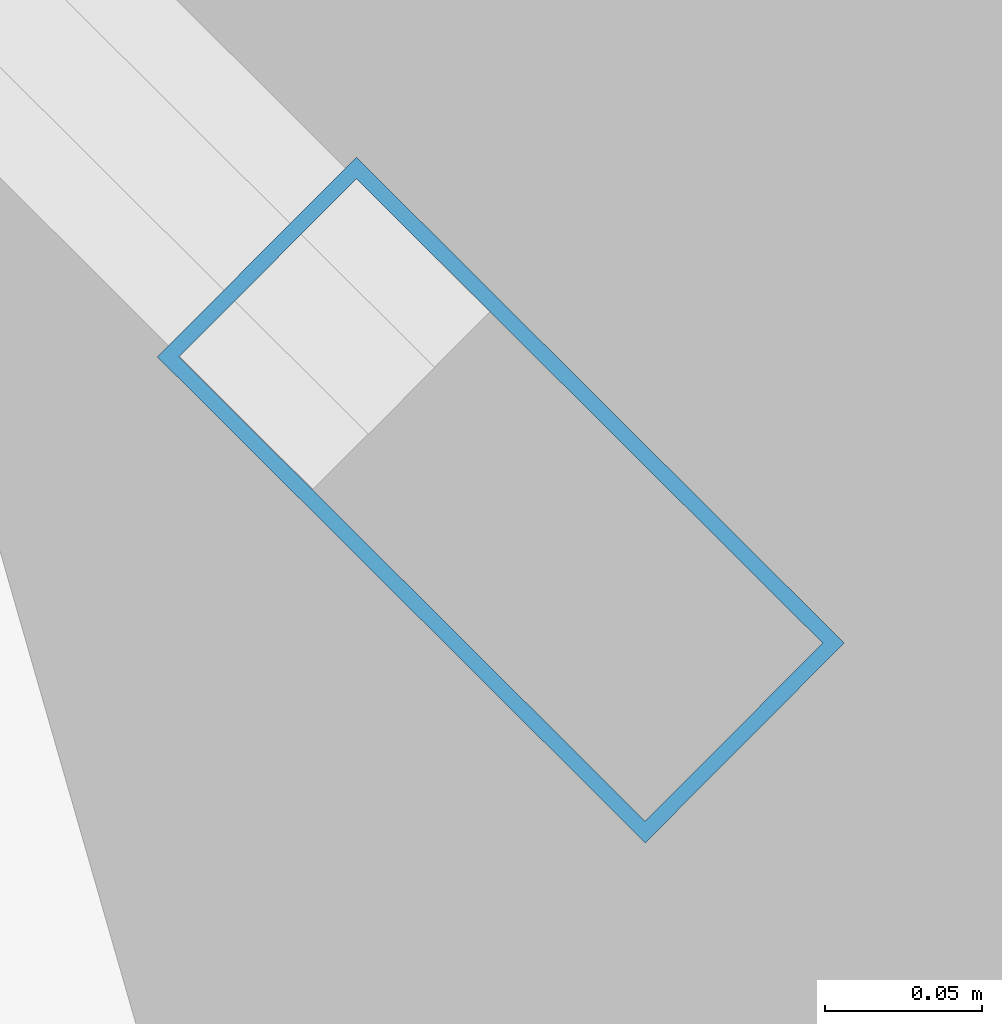
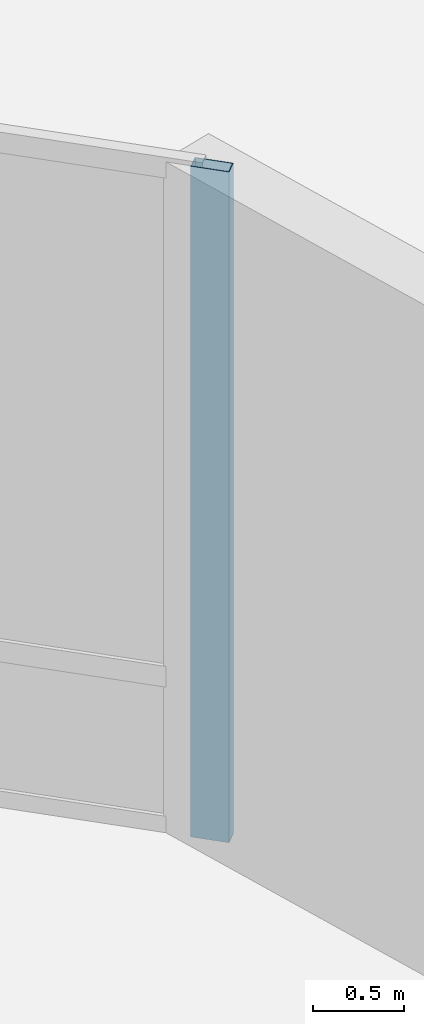
# One storey, part 12 of 35: 1 member, 1 element without a shape of its own.
"""IFC4 building model written with IfcOpenShell, lengths in metres."""

from ifc_helpers import new_model, si_unit, direction, frame, origin, origin_2d, place, context, subcontext, project, spatial, hollow_rectangle, extrude, material, layer, layer_set, material_profile, profile_set, type_object, element, aggregate, save


model = new_model("IFC4")

# Units and contexts
model_context = context("Model", 3, precision=1e-05, world=origin(), true_north=direction((0.0, 1.0)))
body_context = subcontext(model_context, "Body", "Model", "MODEL_VIEW")
ifc_project = project(units=[si_unit("LENGTHUNIT", "METRE"), si_unit("AREAUNIT", "SQUARE_METRE"), si_unit("VOLUMEUNIT", "CUBIC_METRE"), si_unit("PLANEANGLEUNIT", "RADIAN"), si_unit("MASSUNIT", "GRAM", prefix="KILO")], contexts=[model_context])

# Site, building, storey
site_placement = place(None, origin())
site = spatial("IfcSite", under=ifc_project, at=site_placement, CompositionType="ELEMENT")
building_placement = place(site_placement, origin())
building = spatial("IfcBuilding", under=site, at=building_placement, Name="Kazevale Care Tower and Concert Hall", CompositionType="ELEMENT")
storey_placement = place(building_placement, origin())
storey = spatial("IfcBuildingStorey", under=building, at=storey_placement, Name="L00", CompositionType="ELEMENT", Elevation=0.0)

# Curtain wall, member
ifc_material_1 = material(Name="Aluminium 6063-T6 and Low-E Glass", Category="aluminium")
ifc_layer = layer(ifc_material_1, 0.179931640625)
ifc_layer_set = layer_set([ifc_layer], Name="Aluminium 6063-T6 and Low-E Glass")
curtain_wall_type = type_object("IfcCurtainWallType", Name="Podium Double-Skin Medical Curtain Wall CW-1", PredefinedType="NOTDEFINED", material=ifc_layer_set)
curtain_wall_placement = place(storey_placement, origin())
curtain_wall = element("IfcCurtainWall", 1, at=curtain_wall_placement, inside=storey, type_object=curtain_wall_type, Name="cw:L00:pod:02", PredefinedType="NOTDEFINED")
ifc_material_2 = material(Name="Aluminium 6063-T6", Category="aluminium")
ifc_material_profile = material_profile(ifc_material_2, hollow_rectangle(XDim=0.090087890625, YDim=0.219970703125, WallThickness=0.0048828125, at=origin_2d()), Name="ALU90x220x5")
ifc_profile_set = profile_set([ifc_material_profile], Name="Aluminium 6063-T6")
member_type = type_object("IfcMemberType", Name="CW-1 Mullion ALU90x220x5", PredefinedType="MULLION", material=ifc_profile_set)
member_placement = place(storey_placement, frame((83.06103515625, 52.601806640625, 0.0), z_axis=(0.0, 0.0, 1.0), x_axis=(-0.705655814257, -0.708554776856, 0.0)))
member = element("IfcMember", 2, at=member_placement, type_object=member_type, Name="CW-1 mullion 1", PredefinedType="MULLION", context=body_context, shape_type="SweptSolid", body=[
    extrude(hollow_rectangle(XDim=0.090087890625, YDim=0.219970703125, WallThickness=0.0048828125, at=origin_2d()), origin(), (0.0, 0.0, 1.0), 4.52001953125),
])
aggregate(curtain_wall, [member])

save(model, "model.ifc")
